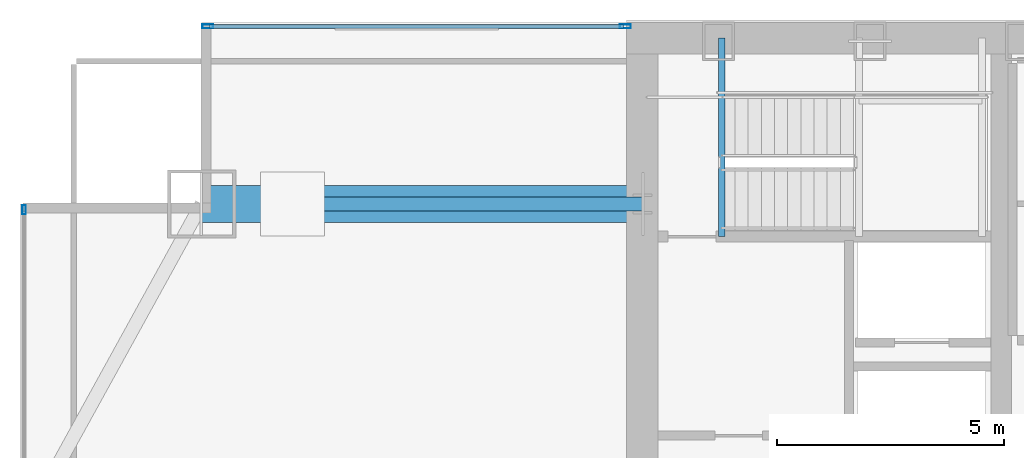
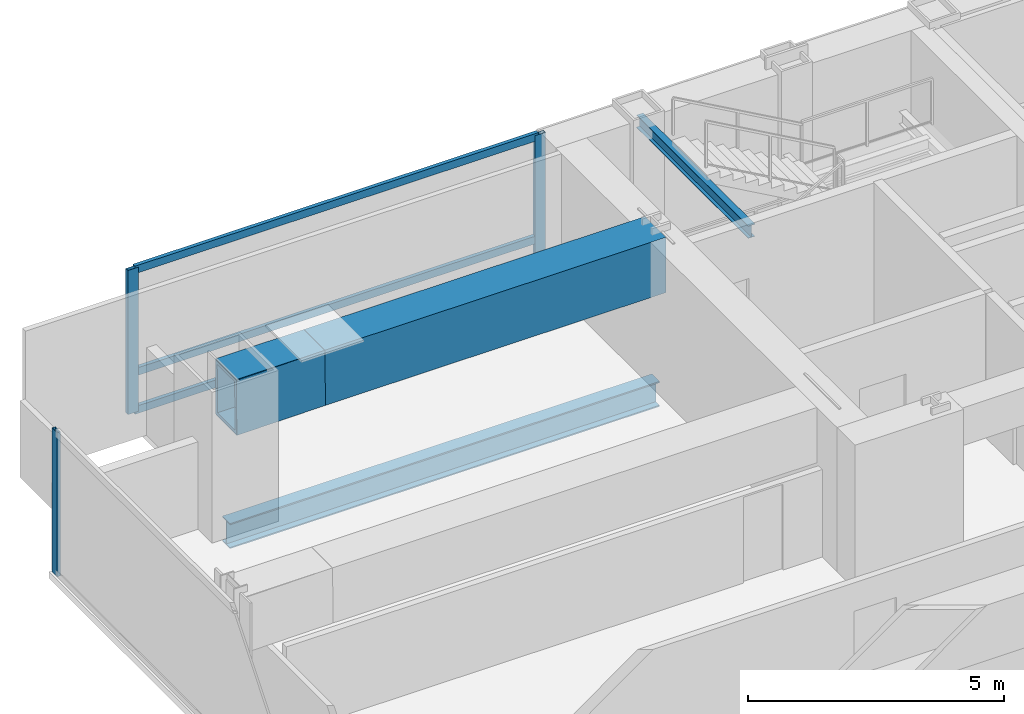
# One storey, part 16 of 30: 6 members, 4 beams, 2 elements without a shape of their own.
"""IFC4 building model written with IfcOpenShell, lengths in metres."""

from ifc_helpers import new_model, si_unit, direction, frame, origin, origin_2d, place, context, subcontext, project, spatial, hollow_rectangle, i_section, extrude, material, material_profile, profile_set, type_object, element, aggregate, save


model = new_model("IFC4")

# Units and contexts
model_context = context("Model", 3, precision=1e-05, world=origin(), true_north=direction((0.0, 1.0)))
body_context = subcontext(model_context, "Body", "Model", "MODEL_VIEW")
ifc_project = project(units=[si_unit("LENGTHUNIT", "METRE"), si_unit("AREAUNIT", "SQUARE_METRE"), si_unit("VOLUMEUNIT", "CUBIC_METRE"), si_unit("PLANEANGLEUNIT", "RADIAN"), si_unit("MASSUNIT", "GRAM", prefix="KILO")], contexts=[model_context])

# Site, building, storey
site_placement = place(None, origin())
site = spatial("IfcSite", under=ifc_project, at=site_placement, CompositionType="ELEMENT")
building_placement = place(site_placement, origin())
building = spatial("IfcBuilding", under=site, at=building_placement, Name="Khoronbel Lancet Exchange", CompositionType="ELEMENT")
storey_placement = place(building_placement, frame((0.0, 0.0, 132.60009765625)))
storey = spatial("IfcBuildingStorey", under=building, at=storey_placement, Name="L32", CompositionType="ELEMENT", Elevation=132.60009765625)

# Beams
ifc_material_1 = material(Name="Steel S355", Category="steel")
ifc_material_profile_1 = material_profile(ifc_material_1, i_section(OverallWidth=0.14990234375, OverallDepth=0.300048828125, WebThickness=0.007080078125, FlangeThickness=0.0107421875, at=origin_2d()), Name="IPE 300")
ifc_profile_set_1 = profile_set([ifc_material_profile_1], Name="Steel S355")
beam_type_1 = type_object("IfcBeamType", Name="BM-BJ8", PredefinedType="JOIST", material=ifc_profile_set_1)
beam_1_placement = place(storey_placement, frame((18.300048828125, 48.97998046875, 3.159912109375), z_axis=(0.0, 1.0, 0.0), x_axis=(-1.0, 0.0, 0.0)))
element("IfcBeam", 1, at=beam_1_placement, inside=storey, type_object=beam_type_1, Name="Level L32 stair ST1 upper-flight arrival trimmer beam", PredefinedType="JOIST", context=body_context, shape_type="SweptSolid", body=[
    extrude(i_section(OverallWidth=0.14990234375, OverallDepth=0.300048828125, WebThickness=0.007080078125, FlangeThickness=0.0107421875, at=origin_2d()), origin(), (0.0, 0.0, 1.0), 4.3701171875),
])
ifc_material_profile_2 = material_profile(ifc_material_1, i_section(OverallWidth=0.300048828125, OverallDepth=0.60009765625, WebThickness=0.015380859375, FlangeThickness=0.030029296875, at=origin_2d()), Name="HEB 600")
ifc_profile_set_2 = profile_set([ifc_material_profile_2], Name="Steel S355")
beam_type_2 = type_object("IfcBeamType", Name="BM-BSP2", PredefinedType="SPANDREL", material=ifc_profile_set_2)
beam_2_placement = place(storey_placement, frame((6.85009765625, 49.699951171875, -0.460205078125), z_axis=(1.0, 0.0, 0.0), x_axis=(0.0, 1.0, 0.0)))
element("IfcBeam", 2, at=beam_2_placement, inside=storey, type_object=beam_type_2, Name="Level L32 north flank tie spandrel SP22", PredefinedType="SPANDREL", context=body_context, shape_type="SweptSolid", body=[
    extrude(i_section(OverallWidth=0.300048828125, OverallDepth=0.60009765625, WebThickness=0.015380859375, FlangeThickness=0.030029296875, at=origin_2d()), origin(), (0.0, 0.0, 1.0), 9.699951171875),
])
ifc_material_2 = material(Name="Steel S460", Category="steel")
ifc_material_profile_3 = material_profile(ifc_material_2, hollow_rectangle(XDim=0.820068359375, YDim=1.320068359375, WallThickness=0.070068359375, at=origin_2d()), Name="BOX 820x1320x70")
ifc_profile_set_3 = profile_set([ifc_material_profile_3], Name="Steel S460")
beam_type_3 = type_object("IfcBeamType", Name="BM-TG4", PredefinedType="USERDEFINED", material=ifc_profile_set_3)
beam_3_placement = place(storey_placement, frame((6.85009765625, 49.699951171875, 2.760009765625), z_axis=(0.999951120325, 0.0, 0.009887212005), x_axis=(0.0, 1.0, 0.0)))
element("IfcBeam", 3, at=beam_3_placement, inside=storey, type_object=beam_type_3, Name="Setback transfer knee-brace girder L32-MC-NW", ObjectType="TRANSFER GIRDER", PredefinedType="USERDEFINED", context=body_context, shape_type="SweptSolid", body=[
    extrude(hollow_rectangle(XDim=0.820068359375, YDim=1.320068359375, WallThickness=0.070068359375, at=origin_2d()), origin(), (0.0, 0.0, 1.0), 2.0),
])
beam_4_placement = place(storey_placement, frame((6.85009765625, 49.699951171875, 2.77978515625), z_axis=(1.0, 0.0, 0.0), x_axis=(0.0, 1.0, 0.0)))
element("IfcBeam", 4, at=beam_4_placement, inside=storey, type_object=beam_type_3, Name="Corner mega-column setback transfer girder L32-NW", ObjectType="TRANSFER GIRDER", PredefinedType="USERDEFINED", context=body_context, shape_type="SweptSolid", body=[
    extrude(hollow_rectangle(XDim=0.820068359375, YDim=1.320068359375, WallThickness=0.070068359375, at=origin_2d()), origin(), (0.0, 0.0, 1.0), 9.699951171875),
])

# Curtain wall, members
ifc_material_3 = material(Name="Low-E Solar Control Insulating Glass", Category="glass")
curtain_wall_type_1 = type_object("IfcCurtainWallType", Name="CW-2", PredefinedType="NOTDEFINED", material=ifc_material_3)
curtain_wall_1_placement = place(storey_placement, origin())
curtain_wall_1 = element("IfcCurtainWall", 5, at=curtain_wall_1_placement, inside=storey, type_object=curtain_wall_type_1, Name="Unitised curtain wall CW-L32-NWFLK", PredefinedType="NOTDEFINED")
ifc_material_4 = material(Name="Bronze-Anodised Aluminium 6063-T6", Category="aluminium")
ifc_material_profile_4 = material_profile(ifc_material_4, hollow_rectangle(XDim=0.0849609375, YDim=0.239990234375, WallThickness=0.006103515625, at=origin_2d()), Name="ALU MULLION 85x240")
ifc_profile_set_4 = profile_set([ifc_material_profile_4], Name="Bronze-Anodised Aluminium 6063-T6")
member_type_1 = type_object("IfcMemberType", Name="MEM-CWM1", PredefinedType="MULLION", material=ifc_profile_set_4)
member_1_placement = place(storey_placement, frame((16.177490234375, 53.610107421875, 0.0), z_axis=(0.0, 0.0, 1.0), x_axis=(0.0, -1.0, 0.0)))
member_1 = element("IfcMember", 6, at=member_1_placement, type_object=member_type_1, Name="CW2 mullion 1", PredefinedType="MULLION", context=body_context, shape_type="SweptSolid", body=[
    extrude(hollow_rectangle(XDim=0.0849609375, YDim=0.239990234375, WallThickness=0.006103515625, at=origin_2d()), origin(), (0.0, 0.0, 1.0), 3.43994140625),
])
member_2_placement = place(storey_placement, frame((6.982421875, 53.610107421875, 0.0), z_axis=(0.0, 0.0, 1.0), x_axis=(0.0, -1.0, 0.0)))
member_2 = element("IfcMember", 7, at=member_2_placement, type_object=member_type_1, Name="CW2 mullion 2", PredefinedType="MULLION", context=body_context, shape_type="SweptSolid", body=[
    extrude(hollow_rectangle(XDim=0.0849609375, YDim=0.239990234375, WallThickness=0.006103515625, at=origin_2d()), origin(), (0.0, 0.0, 1.0), 3.43994140625),
])

# Curtain wall, member
curtain_wall_type_2 = type_object("IfcCurtainWallType", Name="CW-4", PredefinedType="NOTDEFINED", material=ifc_material_3)
curtain_wall_2_placement = place(storey_placement, origin())
curtain_wall_2 = element("IfcCurtainWall", 8, at=curtain_wall_2_placement, inside=storey, type_object=curtain_wall_type_2, Name="Unitised curtain wall CW-L32-E03", PredefinedType="NOTDEFINED")
ifc_material_profile_5 = material_profile(ifc_material_4, hollow_rectangle(XDim=0.074951171875, YDim=0.199951171875, WallThickness=0.0048828125, at=origin_2d()), Name="ALU MULLION 75x200")
ifc_profile_set_5 = profile_set([ifc_material_profile_5], Name="Bronze-Anodised Aluminium 6063-T6")
member_type_2 = type_object("IfcMemberType", Name="MEM-CWM2", PredefinedType="MULLION", material=ifc_profile_set_5)
member_3_placement = place(storey_placement, frame((2.93994140625, 49.572509765625, 0.0), z_axis=(0.0, 0.0, 1.0), x_axis=(-1.0, 0.0, 0.0)))
member_3 = element("IfcMember", 9, at=member_3_placement, type_object=member_type_2, Name="CW4 mullion 3", PredefinedType="MULLION", context=body_context, shape_type="SweptSolid", body=[
    extrude(hollow_rectangle(XDim=0.074951171875, YDim=0.199951171875, WallThickness=0.0048828125, at=origin_2d()), origin(), (0.0, 0.0, 1.0), 3.43994140625),
])
aggregate(curtain_wall_2, [member_3])

# Member
ifc_material_profile_6 = material_profile(ifc_material_4, hollow_rectangle(XDim=0.0849609375, YDim=0.179931640625, WallThickness=0.0048828125, at=origin_2d()), Name="ALU TRANSOM 85x180")
ifc_profile_set_6 = profile_set([ifc_material_profile_6], Name="Bronze-Anodised Aluminium 6063-T6")
member_type_3 = type_object("IfcMemberType", Name="MEM-CWT1", PredefinedType="USERDEFINED", material=ifc_profile_set_6)
member_4_placement = place(storey_placement, frame((16.135009765625, 53.610107421875, 0.04248046875), z_axis=(-1.0, 0.0, 0.0), x_axis=(0.0, -1.0, 0.0)))
member_4 = element("IfcMember", 10, at=member_4_placement, type_object=member_type_3, Name="CW2 transom 1.1", ObjectType="TRANSOM", PredefinedType="USERDEFINED", context=body_context, shape_type="SweptSolid", body=[
    extrude(hollow_rectangle(XDim=0.0849609375, YDim=0.179931640625, WallThickness=0.0048828125, at=origin_2d()), origin(), (0.0, 0.0, 1.0), 9.110107421875),
])

member_5_placement = place(storey_placement, frame((16.135009765625, 53.610107421875, 0.949951171875), z_axis=(-1.0, 0.0, 0.0), x_axis=(0.0, -1.0, 0.0)))
member_5 = element("IfcMember", 11, at=member_5_placement, type_object=member_type_3, Name="CW2 transom 1.2", ObjectType="TRANSOM", PredefinedType="USERDEFINED", context=body_context, shape_type="SweptSolid", body=[
    extrude(hollow_rectangle(XDim=0.0849609375, YDim=0.179931640625, WallThickness=0.0048828125, at=origin_2d()), origin(), (0.0, 0.0, 1.0), 9.110107421875),
])

member_6_placement = place(storey_placement, frame((16.135009765625, 53.610107421875, 3.3974609375), z_axis=(-1.0, 0.0, 0.0), x_axis=(0.0, -1.0, 0.0)))
member_6 = element("IfcMember", 12, at=member_6_placement, type_object=member_type_3, Name="CW2 transom 1.3", ObjectType="TRANSOM", PredefinedType="USERDEFINED", context=body_context, shape_type="SweptSolid", body=[
    extrude(hollow_rectangle(XDim=0.0849609375, YDim=0.179931640625, WallThickness=0.0048828125, at=origin_2d()), origin(), (0.0, 0.0, 1.0), 9.110107421875),
])

aggregate(curtain_wall_1, [member_1, member_2, member_4, member_5, member_6])

save(model, "model.ifc")
